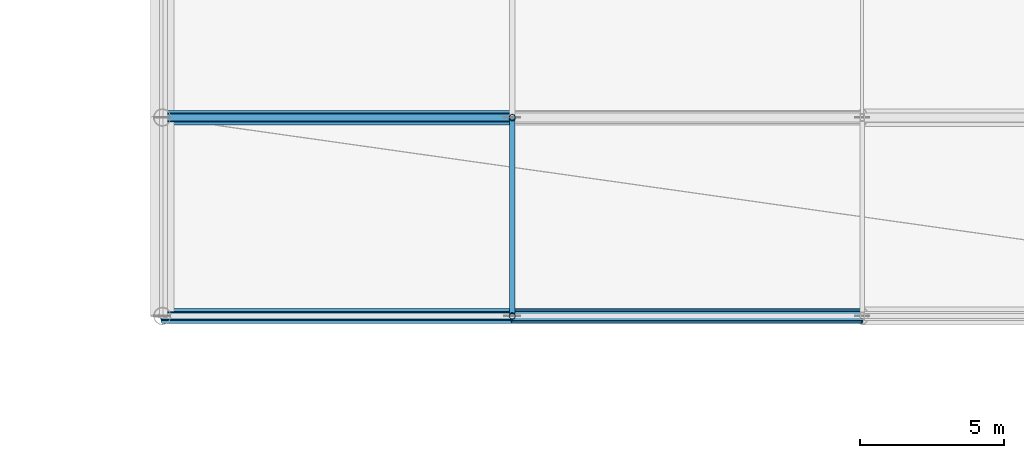
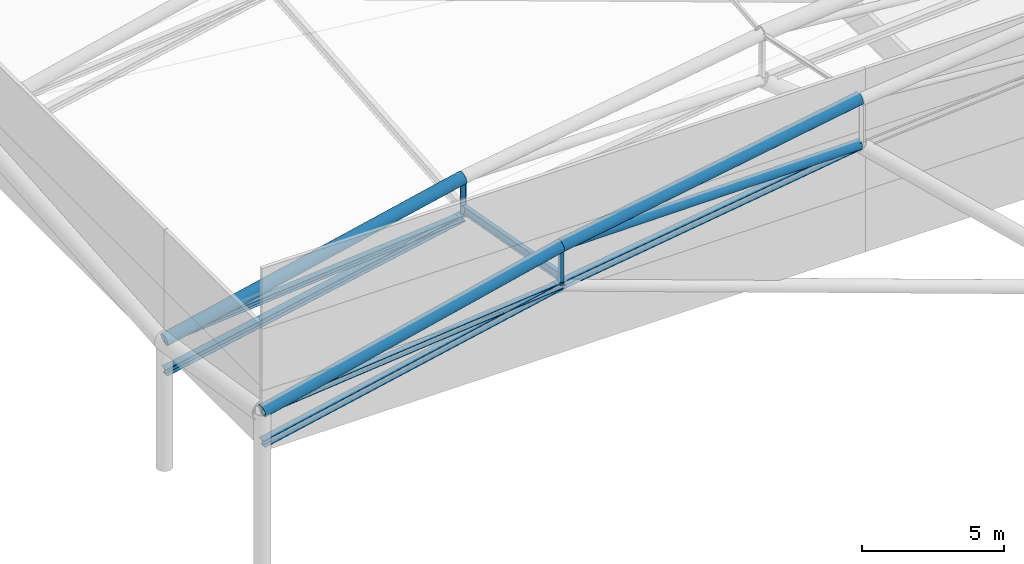
# One storey, part 31 of 113: 12 members.
"""IFC4 building model written with IfcOpenShell, lengths in metres."""

from ifc_helpers import new_model, si_unit, direction, frame, origin, origin_2d, place, context, subcontext, project, spatial, hollow_circle, i_section, extrude, material, material_profile, profile_set, type_object, element, save


model = new_model("IFC4")

# Units and contexts
model_context = context("Model", 3, precision=1e-05, world=origin(), true_north=direction((0.0, 1.0)))
body_context = subcontext(model_context, "Body", "Model", "MODEL_VIEW")
ifc_project = project(units=[si_unit("LENGTHUNIT", "METRE"), si_unit("AREAUNIT", "SQUARE_METRE"), si_unit("VOLUMEUNIT", "CUBIC_METRE"), si_unit("PLANEANGLEUNIT", "RADIAN"), si_unit("MASSUNIT", "GRAM", prefix="KILO")], contexts=[model_context])

# Site, building, storey
site_placement = place(None, origin())
site = spatial("IfcSite", under=ifc_project, at=site_placement, CompositionType="ELEMENT")
building_placement = place(site_placement, origin())
building = spatial("IfcBuilding", under=site, at=building_placement, Name="Linyun Crest Stadium", CompositionType="ELEMENT")
storey_placement = place(building_placement, frame((0.0, 0.0, 26.39990234375)))
storey = spatial("IfcBuildingStorey", under=building, at=storey_placement, Name="L06", CompositionType="ELEMENT", Elevation=26.39990234375)

# Members
ifc_material_1 = material(Name="Steel Q355B", Category="steel")
ifc_material_profile_1 = material_profile(ifc_material_1, i_section(OverallWidth=0.175048828125, OverallDepth=0.35009765625, WebThickness=0.007080078125, FlangeThickness=0.010986328125, at=origin_2d()), Name="HN 350x175")
ifc_profile_set_1 = profile_set([ifc_material_profile_1], Name="Steel Q355B")
member_type_1 = type_object("IfcMemberType", Name="PR02", PredefinedType="PURLIN", material=ifc_profile_set_1)
member_1_placement = place(storey_placement, frame((47.625, -46.0, 8.092041015625), z_axis=(0.0, 0.983796041704, -0.17929123885), x_axis=(-1.0, 0.0, 0.0)))
element("IfcMember", 1, at=member_1_placement, inside=storey, type_object=member_type_1, Name="Roof canopy purlin PR02 V2 334", PredefinedType="PURLIN", context=body_context, shape_type="SweptSolid", body=[
    extrude(i_section(OverallWidth=0.175048828125, OverallDepth=0.35009765625, WebThickness=0.007080078125, FlangeThickness=0.010986328125, at=origin_2d()), origin(), (0.0, 0.0, 1.0), 6.98828125),
])
ifc_material_2 = material(Name="Steel Q420C", Category="steel")
ifc_material_profile_2 = material_profile(ifc_material_2, hollow_circle(Radius=0.25390625, WallThickness=0.02490234375, at=origin_2d()), Name="CHS 508x25")
ifc_profile_set_2 = profile_set([ifc_material_profile_2], Name="Steel Q420C")
member_type_2 = type_object("IfcMemberType", Name="TC01", PredefinedType="CHORD", material=ifc_profile_set_2)
member_2_placement = place(storey_placement, frame((59.75, -46.0, 11.502197265625), z_axis=(-0.985667924462, 0.0, -0.168697192291), x_axis=(0.0, -1.0, 0.0)))
element("IfcMember", 2, at=member_2_placement, inside=storey, type_object=member_type_2, Name="Roof truss top chord TC01 V2 190", PredefinedType="CHORD", context=body_context, shape_type="SweptSolid", body=[
    extrude(hollow_circle(Radius=0.25390625, WallThickness=0.02490234375, at=origin_2d()), origin(), (0.0, 0.0, 1.0), 12.30126953125),
])
member_3_placement = place(storey_placement, frame((47.625, -46.0, 9.427001953125), z_axis=(-0.973038645725, 0.0, -0.230642133889), x_axis=(0.0, -1.0, 0.0)))
element("IfcMember", 3, at=member_3_placement, inside=storey, type_object=member_type_2, Name="Roof truss top chord TC01 V2 194", PredefinedType="CHORD", context=body_context, shape_type="SweptSolid", body=[
    extrude(hollow_circle(Radius=0.25390625, WallThickness=0.02490234375, at=origin_2d()), origin(), (0.0, 0.0, 1.0), 12.4609375),
])
member_4_placement = place(storey_placement, frame((47.625, -39.125, 8.174072265625), z_axis=(-0.975645083267, 0.0, -0.219355126445), x_axis=(0.0, -1.0, 0.0)))
element("IfcMember", 4, at=member_4_placement, inside=storey, type_object=member_type_2, Name="Roof truss top chord TC01 V2 213", PredefinedType="CHORD", context=body_context, shape_type="SweptSolid", body=[
    extrude(hollow_circle(Radius=0.25390625, WallThickness=0.02490234375, at=origin_2d()), origin(), (0.0, 0.0, 1.0), 12.427734375),
])
ifc_material_3 = material(Name="Steel Q355C", Category="steel")
ifc_material_profile_3 = material_profile(ifc_material_3, i_section(OverallWidth=0.300048828125, OverallDepth=0.300048828125, WebThickness=0.010009765625, FlangeThickness=0.014892578125, at=origin_2d()), Name="HW 300x300")
ifc_profile_set_3 = profile_set([ifc_material_profile_3], Name="Steel Q355C")
member_type_3 = type_object("IfcMemberType", Name="TC03", PredefinedType="CHORD", material=ifc_profile_set_3)
member_5_placement = place(storey_placement, frame((59.75, -46.0, 9.526123046875), z_axis=(-0.989594539625, 0.0, -0.143884144866), x_axis=(0.0, -1.0, 0.0)))
element("IfcMember", 5, at=member_5_placement, inside=storey, type_object=member_type_3, Name="Roof truss bottom chord TC03 V2 191", PredefinedType="CHORD", context=body_context, shape_type="SweptSolid", body=[
    extrude(i_section(OverallWidth=0.300048828125, OverallDepth=0.300048828125, WebThickness=0.010009765625, FlangeThickness=0.014892578125, at=origin_2d()), origin(), (0.0, 0.0, 1.0), 12.25244140625),
])
member_6_placement = place(storey_placement, frame((47.625, -46.0, 7.76318359375), z_axis=(-0.978396930503, 0.0, -0.206735208374), x_axis=(0.0, -1.0, 0.0)))
element("IfcMember", 6, at=member_6_placement, inside=storey, type_object=member_type_3, Name="Roof truss bottom chord TC03 V2 195", PredefinedType="CHORD", context=body_context, shape_type="SweptSolid", body=[
    extrude(i_section(OverallWidth=0.300048828125, OverallDepth=0.300048828125, WebThickness=0.010009765625, FlangeThickness=0.014892578125, at=origin_2d()), origin(), (0.0, 0.0, 1.0), 12.392822265625),
])
member_7_placement = place(storey_placement, frame((47.625, -39.125, 6.510009765625), z_axis=(-0.9807542225, 0.0, -0.195246395737), x_axis=(0.0, -1.0, 0.0)))
element("IfcMember", 7, at=member_7_placement, inside=storey, type_object=member_type_3, Name="Roof truss bottom chord TC03 V2 214", PredefinedType="CHORD", context=body_context, shape_type="SweptSolid", body=[
    extrude(i_section(OverallWidth=0.300048828125, OverallDepth=0.300048828125, WebThickness=0.010009765625, FlangeThickness=0.014892578125, at=origin_2d()), origin(), (0.0, 0.0, 1.0), 12.363037109375),
])
ifc_material_4 = material(Name="Steel Q420C", Category="steel")
ifc_material_profile_4 = material_profile(ifc_material_4, hollow_circle(Radius=0.202880859375, WallThickness=0.02001953125, at=origin_2d()), Name="CHS 406x20")
ifc_profile_set_4 = profile_set([ifc_material_profile_4], Name="Steel Q420C")
member_type_4 = type_object("IfcMemberType", Name="TD03", PredefinedType="BRACE", material=ifc_profile_set_4)
member_8_placement = place(storey_placement, frame((59.75, -46.0, 9.526123046875), z_axis=(-0.999966586889, 0.0, -0.008174662417), x_axis=(0.0, -1.0, 0.0)))
element("IfcMember", 8, at=member_8_placement, inside=storey, type_object=member_type_4, Name="Roof truss diagonal TD03 V2 192", PredefinedType="BRACE", context=body_context, shape_type="SweptSolid", body=[
    extrude(hollow_circle(Radius=0.202880859375, WallThickness=0.02001953125, at=origin_2d()), origin(), (0.0, 0.0, 1.0), 12.12548828125),
])
ifc_material_5 = material(Name="Steel Q355C", Category="steel")
ifc_material_profile_5 = material_profile(ifc_material_5, i_section(OverallWidth=0.25, OverallDepth=0.25, WebThickness=0.009033203125, FlangeThickness=0.013916015625, at=origin_2d()), Name="HW 250x250")
ifc_profile_set_5 = profile_set([ifc_material_profile_5], Name="Steel Q355C")
member_type_5 = type_object("IfcMemberType", Name="TD04", PredefinedType="BRACE", material=ifc_profile_set_5)
member_9_placement = place(storey_placement, frame((47.625, -46.0, 7.76318359375), z_axis=(-0.995055819877, 0.0, -0.099317245875), x_axis=(0.0, -1.0, 0.0)))
element("IfcMember", 9, at=member_9_placement, inside=storey, type_object=member_type_5, Name="Roof truss diagonal TD04 V2 196", PredefinedType="BRACE", context=body_context, shape_type="SweptSolid", body=[
    extrude(i_section(OverallWidth=0.25, OverallDepth=0.25, WebThickness=0.009033203125, FlangeThickness=0.013916015625, at=origin_2d()), origin(), (0.0, 0.0, 1.0), 12.185302734375),
])
member_10_placement = place(storey_placement, frame((47.625, -39.125, 6.510009765625), z_axis=(-0.996186049794, 0.0, -0.08725453682), x_axis=(0.0, -1.0, 0.0)))
element("IfcMember", 10, at=member_10_placement, inside=storey, type_object=member_type_5, Name="Roof truss diagonal TD04 V2 215", PredefinedType="BRACE", context=body_context, shape_type="SweptSolid", body=[
    extrude(i_section(OverallWidth=0.25, OverallDepth=0.25, WebThickness=0.009033203125, FlangeThickness=0.013916015625, at=origin_2d()), origin(), (0.0, 0.0, 1.0), 12.17138671875),
])
ifc_material_6 = material(Name="Steel Q355C", Category="steel")
ifc_material_profile_6 = material_profile(ifc_material_6, hollow_circle(Radius=0.109619140625, WallThickness=0.011962890625, at=origin_2d()), Name="CHS 219x12")
ifc_profile_set_6 = profile_set([ifc_material_profile_6], Name="Steel Q355C")
member_type_6 = type_object("IfcMemberType", Name="TV01", PredefinedType="STRUT", material=ifc_profile_set_6)
member_11_placement = place(storey_placement, frame((47.625, -46.0, 7.76318359375), z_axis=(0.0, 0.0, 1.0), x_axis=(1.0, 0.0, 0.0)))
element("IfcMember", 11, at=member_11_placement, inside=storey, type_object=member_type_6, Name="Roof vertical strut TV01 V2 197", PredefinedType="STRUT", context=body_context, shape_type="SweptSolid", body=[
    extrude(hollow_circle(Radius=0.109619140625, WallThickness=0.011962890625, at=origin_2d()), origin(), (0.0, 0.0, 1.0), 1.663818359375),
])
member_12_placement = place(storey_placement, frame((47.625, -39.125, 6.510009765625), z_axis=(0.0, 0.0, 1.0), x_axis=(1.0, 0.0, 0.0)))
element("IfcMember", 12, at=member_12_placement, inside=storey, type_object=member_type_6, Name="Roof vertical strut TV01 V2 216", PredefinedType="STRUT", context=body_context, shape_type="SweptSolid", body=[
    extrude(hollow_circle(Radius=0.109619140625, WallThickness=0.011962890625, at=origin_2d()), origin(), (0.0, 0.0, 1.0), 1.6640625),
])

save(model, "model.ifc")
